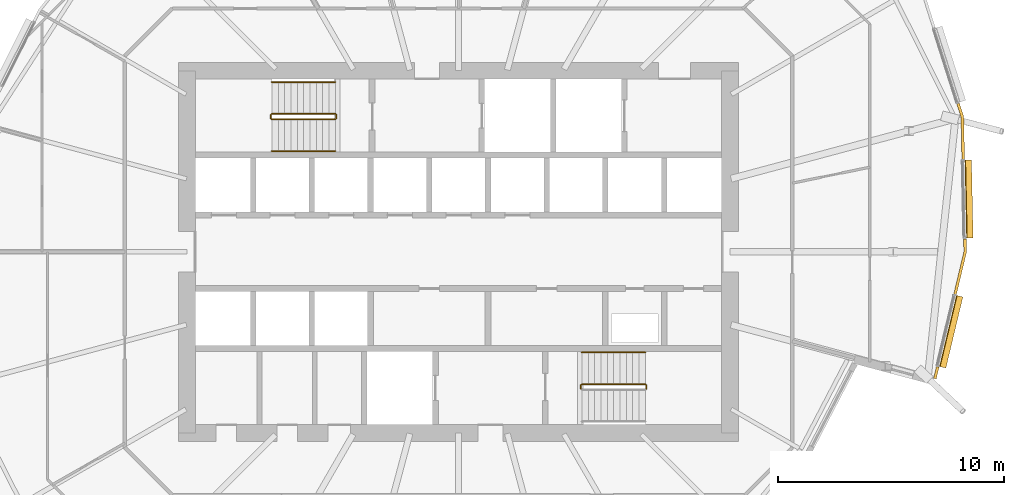
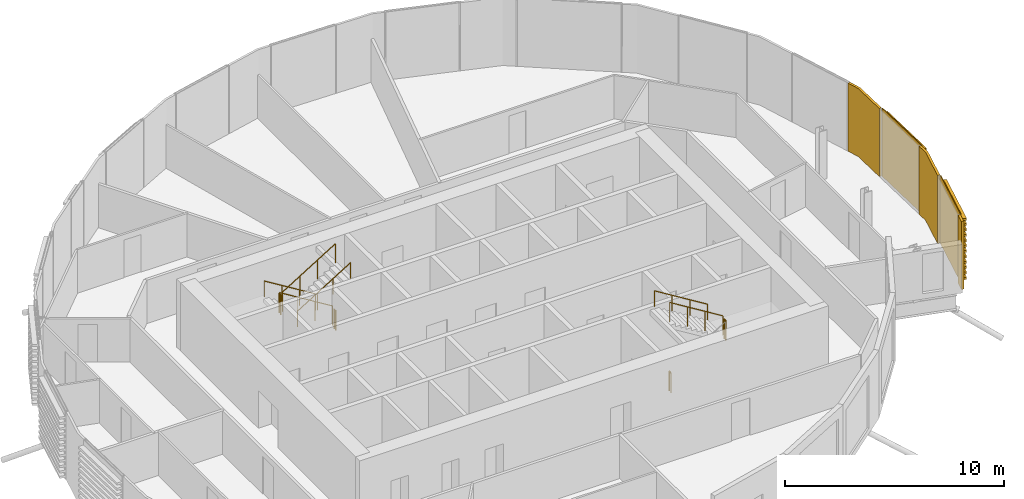
# One storey, part 41 of 43: 10 railings, 5 coverings.
"""IFC4 building model written with IfcOpenShell, lengths in metres."""

from ifc_helpers import new_model, si_unit, direction, frame, origin, origin_2d, place, context, subcontext, project, spatial, polyline, circle, outline, extrude, material, layer, layer_set, material_profile, profile_set, type_object, element, save


model = new_model("IFC4")

# Units and contexts
model_context = context("Model", 3, precision=1e-05, world=origin(), true_north=direction((0.0, 1.0)))
body_context = subcontext(model_context, "Body", "Model", "MODEL_VIEW")
ifc_project = project(units=[si_unit("LENGTHUNIT", "METRE"), si_unit("AREAUNIT", "SQUARE_METRE"), si_unit("VOLUMEUNIT", "CUBIC_METRE"), si_unit("PLANEANGLEUNIT", "RADIAN"), si_unit("MASSUNIT", "GRAM", prefix="KILO")], contexts=[model_context])

# Site, building, storey
site_placement = place(None, origin())
site = spatial("IfcSite", under=ifc_project, at=site_placement, CompositionType="ELEMENT")
building_placement = place(site_placement, origin())
building = spatial("IfcBuilding", under=site, at=building_placement, Name="Rimbun Link Towers", CompositionType="ELEMENT")
storey_placement = place(building_placement, frame((0.0, 0.0, 81.60009765625)))
storey = spatial("IfcBuildingStorey", under=building, at=storey_placement, Name="L19", CompositionType="ELEMENT", Elevation=81.60009765625)

# Coverings
ifc_material_1 = material(Name="Terracotta", Category="masonry")
ifc_layer = layer(ifc_material_1, 0.1201171875)
ifc_layer_set = layer_set([ifc_layer], Name="LINK PIER terracotta cladding 120")
covering_type_1 = type_object("IfcCoveringType", Name="LINK PIER terracotta cladding 120", PredefinedType="CLADDING", material=ifc_layer_set)
covering_1_placement = place(storey_placement, origin())
element("IfcCovering", 1, at=covering_1_placement, inside=storey, type_object=covering_type_1, Name="LINK PIER cladding", PredefinedType="CLADDING", context=body_context, shape_type="SweptSolid", body=[
    extrude(outline(polyline([(52.8662109375, -5.068115234375), (52.74072265625, -5.593505859375), (52.857421875, -5.621337890625), (52.98291015625, -5.09619140625), (52.8662109375, -5.068115234375)])), origin(), (0.0, 0.0, 1.0), 3.7998046875),
])
covering_2_placement = place(storey_placement, origin())
element("IfcCovering", 2, at=covering_2_placement, inside=storey, type_object=covering_type_1, Name="LINK PIER cladding", PredefinedType="CLADDING", context=body_context, shape_type="SweptSolid", body=[
    extrude(outline(polyline([(54.06640625, 0.56982421875), (54.078369140625, 0.0), (53.6318359375, -1.867431640625), (53.74853515625, -1.895263671875), (54.198486328125, -0.012939453125), (54.186279296875, 0.572509765625), (54.06640625, 0.56982421875)])), origin(), (0.0, 0.0, 1.0), 3.7998046875),
])
covering_3_placement = place(storey_placement, origin())
element("IfcCovering", 3, at=covering_3_placement, inside=storey, type_object=covering_type_1, Name="LINK PIER cladding", PredefinedType="CLADDING", context=body_context, shape_type="SweptSolid", body=[
    extrude(outline(polyline([(53.76513671875, 6.5400390625), (53.952880859375, 5.94921875), (53.992431640625, 4.079833984375), (54.1123046875, 4.082275390625), (54.072509765625, 5.96923828125), (53.87939453125, 6.576416015625), (53.76513671875, 6.5400390625)])), origin(), (0.0, 0.0, 1.0), 3.7998046875),
])

# Railings
ifc_material_2 = material(Name="Stainless steel grade 316", Category="steel")
railing_type_1 = type_object("IfcRailingType", Name="Stair guard", PredefinedType="GUARDRAIL", material=ifc_material_2)
railing_1_placement = place(storey_placement, frame((26.300048828125, 6.10009765625, 0.172607421875)))
element("IfcRailing", 4, at=railing_1_placement, inside=storey, type_object=railing_type_1, Name="L19 ST3 stair guard 1", PredefinedType="GUARDRAIL", context=body_context, shape_type="SweptSolid", body=[
    extrude(circle(Radius=0.02392578125, at=origin_2d()), frame((0.0, 0.0, 1.076171875), z_axis=(-0.851089632645, 0.0, 0.525020415988), x_axis=(0.0, -1.0, 0.0)), (0.0, 0.0, 1.0), 3.2900390625),
    extrude(circle(Radius=0.02099609375, at=origin_2d()), origin(), (0.0, 0.0, 1.0), 1.052001953125),
    extrude(circle(Radius=0.02099609375, at=origin_2d()), frame((-0.933349609375, 0.0, 0.57568359375)), (0.0, 0.0, 1.0), 1.052001953125),
    extrude(circle(Radius=0.02099609375, at=origin_2d()), frame((-1.86669921875, 0.0, 1.151611328125)), (0.0, 0.0, 1.0), 1.052001953125),
    extrude(circle(Radius=0.02099609375, at=origin_2d()), frame((-2.800048828125, 0.0, 1.727294921875)), (0.0, 0.0, 1.0), 1.052001953125),
])
railing_2_placement = place(storey_placement, frame((23.449951171875, 6.050048828125, 1.89990234375)))
element("IfcRailing", 5, at=railing_2_placement, inside=storey, type_object=railing_type_1, Name="L19 ST3 stair guard 2", PredefinedType="GUARDRAIL", context=body_context, shape_type="SweptSolid", body=[
    extrude(circle(Radius=0.02392578125, at=origin_2d()), frame((0.0, 0.0, 1.076171875), z_axis=(0.0, -1.0, 0.0), x_axis=(1.0, 0.0, 0.0)), (0.0, 0.0, 1.0), 0.150146484375),
    extrude(circle(Radius=0.02099609375, at=origin_2d()), origin(), (0.0, 0.0, 1.0), 1.052001953125),
    extrude(circle(Radius=0.02099609375, at=origin_2d()), frame((0.0, -0.150146484375, 0.0)), (0.0, 0.0, 1.0), 1.052001953125),
])
railing_3_placement = place(storey_placement, frame((23.5, 5.85009765625, 2.072509765625)))
element("IfcRailing", 6, at=railing_3_placement, inside=storey, type_object=railing_type_1, Name="L19 ST3 stair guard 3", PredefinedType="GUARDRAIL", context=body_context, shape_type="SweptSolid", body=[
    extrude(circle(Radius=0.02392578125, at=origin_2d()), frame((0.0, 0.0, 1.076171875), z_axis=(0.851089632645, 0.0, 0.525020415988), x_axis=(0.0, 1.0, 0.0)), (0.0, 0.0, 1.0), 3.2900390625),
    extrude(circle(Radius=0.02099609375, at=origin_2d()), origin(), (0.0, 0.0, 1.0), 1.052001953125),
    extrude(circle(Radius=0.02099609375, at=origin_2d()), frame((0.933349609375, 0.0, 0.57568359375)), (0.0, 0.0, 1.0), 1.052001953125),
    extrude(circle(Radius=0.02099609375, at=origin_2d()), frame((1.86669921875, 0.0, 1.151611328125)), (0.0, 0.0, 1.0), 1.052001953125),
    extrude(circle(Radius=0.02099609375, at=origin_2d()), frame((2.800048828125, 0.0, 1.727294921875)), (0.0, 0.0, 1.0), 1.052001953125),
])
railing_4_placement = place(storey_placement, frame((26.35009765625, 6.050048828125, 0.0)))
element("IfcRailing", 7, at=railing_4_placement, inside=storey, type_object=railing_type_1, Name="L19 ST3 stair guard 4", PredefinedType="GUARDRAIL", context=body_context, shape_type="SweptSolid", body=[
    extrude(circle(Radius=0.02392578125, at=origin_2d()), frame((0.0, 0.0, 1.076171875), z_axis=(0.0, -1.0, 0.0), x_axis=(1.0, 0.0, 0.0)), (0.0, 0.0, 1.0), 0.150146484375),
    extrude(circle(Radius=0.02099609375, at=origin_2d()), origin(), (0.0, 0.0, 1.0), 1.052001953125),
    extrude(circle(Radius=0.02099609375, at=origin_2d()), frame((0.0, -0.150146484375, 0.0)), (0.0, 0.0, 1.0), 1.052001953125),
])
railing_5_placement = place(storey_placement, frame((40.050048828125, -6.050048828125, 1.89990234375)))
element("IfcRailing", 8, at=railing_5_placement, inside=storey, type_object=railing_type_1, Name="L19 ST4 stair guard 2", PredefinedType="GUARDRAIL", context=body_context, shape_type="SweptSolid", body=[
    extrude(circle(Radius=0.02392578125, at=origin_2d()), frame((0.0, 0.0, 1.076171875), z_axis=(0.0, 1.0, 0.0), x_axis=(-1.0, 0.0, 0.0)), (0.0, 0.0, 1.0), 0.150146484375),
    extrude(circle(Radius=0.02099609375, at=origin_2d()), origin(), (0.0, 0.0, 1.0), 1.052001953125),
    extrude(circle(Radius=0.02099609375, at=origin_2d()), frame((0.0, 0.150146484375, 0.0)), (0.0, 0.0, 1.0), 1.052001953125),
])
railing_6_placement = place(storey_placement, frame((40.0, -5.85009765625, 2.072509765625)))
element("IfcRailing", 9, at=railing_6_placement, inside=storey, type_object=railing_type_1, Name="L19 ST4 stair guard 3", PredefinedType="GUARDRAIL", context=body_context, shape_type="SweptSolid", body=[
    extrude(circle(Radius=0.02392578125, at=origin_2d()), frame((0.0, 0.0, 1.076171875), z_axis=(-0.851089632645, 0.0, 0.525020415988), x_axis=(0.0, -1.0, 0.0)), (0.0, 0.0, 1.0), 3.2900390625),
    extrude(circle(Radius=0.02099609375, at=origin_2d()), origin(), (0.0, 0.0, 1.0), 1.052001953125),
    extrude(circle(Radius=0.02099609375, at=origin_2d()), frame((-0.933349609375, 0.0, 0.57568359375)), (0.0, 0.0, 1.0), 1.052001953125),
    extrude(circle(Radius=0.02099609375, at=origin_2d()), frame((-1.86669921875, 0.0, 1.151611328125)), (0.0, 0.0, 1.0), 1.052001953125),
    extrude(circle(Radius=0.02099609375, at=origin_2d()), frame((-2.800048828125, 0.0, 1.727294921875)), (0.0, 0.0, 1.0), 1.052001953125),
])
railing_7_placement = place(storey_placement, frame((37.14990234375, -6.050048828125, 0.0)))
element("IfcRailing", 10, at=railing_7_placement, inside=storey, type_object=railing_type_1, Name="L19 ST4 stair guard 4", PredefinedType="GUARDRAIL", context=body_context, shape_type="SweptSolid", body=[
    extrude(circle(Radius=0.02392578125, at=origin_2d()), frame((0.0, 0.0, 1.076171875), z_axis=(0.0, 1.0, 0.0), x_axis=(-1.0, 0.0, 0.0)), (0.0, 0.0, 1.0), 0.150146484375),
    extrude(circle(Radius=0.02099609375, at=origin_2d()), origin(), (0.0, 0.0, 1.0), 1.052001953125),
    extrude(circle(Radius=0.02099609375, at=origin_2d()), frame((0.0, 0.150146484375, 0.0)), (0.0, 0.0, 1.0), 1.052001953125),
])
ifc_material_3 = material(Name="Stainless steel grade 316", Category="steel")
railing_type_2 = type_object("IfcRailingType", Name="Stair handrail", PredefinedType="HANDRAIL", material=ifc_material_3)
railing_8_placement = place(storey_placement, frame((26.300048828125, 7.5, 0.172607421875)))
element("IfcRailing", 11, at=railing_8_placement, inside=storey, type_object=railing_type_2, Name="L19 ST3 stair handrail 1", PredefinedType="HANDRAIL", context=body_context, shape_type="SweptSolid", body=[
    extrude(circle(Radius=0.02392578125, at=origin_2d()), frame((0.0, 0.0, 0.8759765625), z_axis=(-0.851089632645, 0.0, 0.525020415988), x_axis=(0.0, -1.0, 0.0)), (0.0, 0.0, 1.0), 3.2900390625),
    extrude(circle(Radius=0.02099609375, at=origin_2d()), origin(), (0.0, 0.0, 1.0), 0.851806640625),
    extrude(circle(Radius=0.02099609375, at=origin_2d()), frame((-0.933349609375, 0.0, 0.57568359375)), (0.0, 0.0, 1.0), 0.851806640625),
    extrude(circle(Radius=0.02099609375, at=origin_2d()), frame((-1.86669921875, 0.0, 1.151611328125)), (0.0, 0.0, 1.0), 0.851806640625),
    extrude(circle(Radius=0.02099609375, at=origin_2d()), frame((-2.800048828125, 0.0, 1.727294921875)), (0.0, 0.0, 1.0), 0.851806640625),
])
railing_9_placement = place(storey_placement, frame((23.5, 4.449951171875, 2.072509765625)))
element("IfcRailing", 12, at=railing_9_placement, inside=storey, type_object=railing_type_2, Name="L19 ST3 stair handrail 2", PredefinedType="HANDRAIL", context=body_context, shape_type="SweptSolid", body=[
    extrude(circle(Radius=0.02392578125, at=origin_2d()), frame((0.0, 0.0, 0.8759765625), z_axis=(0.851089632645, 0.0, 0.525020415988), x_axis=(0.0, 1.0, 0.0)), (0.0, 0.0, 1.0), 3.2900390625),
    extrude(circle(Radius=0.02099609375, at=origin_2d()), origin(), (0.0, 0.0, 1.0), 0.851806640625),
    extrude(circle(Radius=0.02099609375, at=origin_2d()), frame((0.933349609375, 0.0, 0.57568359375)), (0.0, 0.0, 1.0), 0.851806640625),
    extrude(circle(Radius=0.02099609375, at=origin_2d()), frame((1.86669921875, 0.0, 1.151611328125)), (0.0, 0.0, 1.0), 0.851806640625),
    extrude(circle(Radius=0.02099609375, at=origin_2d()), frame((2.800048828125, 0.0, 1.727294921875)), (0.0, 0.0, 1.0), 0.851806640625),
])
railing_10_placement = place(storey_placement, frame((40.0, -4.449951171875, 2.072509765625)))
element("IfcRailing", 13, at=railing_10_placement, inside=storey, type_object=railing_type_2, Name="L19 ST4 stair handrail 2", PredefinedType="HANDRAIL", context=body_context, shape_type="SweptSolid", body=[
    extrude(circle(Radius=0.02392578125, at=origin_2d()), frame((0.0, 0.0, 0.8759765625), z_axis=(-0.851089632645, 0.0, 0.525020415988), x_axis=(0.0, -1.0, 0.0)), (0.0, 0.0, 1.0), 3.2900390625),
    extrude(circle(Radius=0.02099609375, at=origin_2d()), origin(), (0.0, 0.0, 1.0), 0.851806640625),
    extrude(circle(Radius=0.02099609375, at=origin_2d()), frame((-0.933349609375, 0.0, 0.57568359375)), (0.0, 0.0, 1.0), 0.851806640625),
    extrude(circle(Radius=0.02099609375, at=origin_2d()), frame((-1.86669921875, 0.0, 1.151611328125)), (0.0, 0.0, 1.0), 0.851806640625),
    extrude(circle(Radius=0.02099609375, at=origin_2d()), frame((-2.800048828125, 0.0, 1.727294921875)), (0.0, 0.0, 1.0), 0.851806640625),
])

# Coverings
ifc_material_4 = material(Name="Terracotta", Category="masonry")
ifc_material_profile = material_profile(ifc_material_4, outline(polyline([(0.123046875, 0.0), (0.1630859375, 0.0), (0.1630859375, 0.10009765625), (0.423095703125, 0.10009765625), (0.423095703125, 0.219970703125), (0.1630859375, 0.219970703125), (0.1630859375, 0.39990234375), (0.423095703125, 0.39990234375), (0.423095703125, 0.52001953125), (0.1630859375, 0.52001953125), (0.1630859375, 0.699951171875), (0.423095703125, 0.699951171875), (0.423095703125, 0.820068359375), (0.1630859375, 0.820068359375), (0.1630859375, 1.0), (0.423095703125, 1.0), (0.423095703125, 1.1201171875), (0.1630859375, 1.1201171875), (0.1630859375, 1.300048828125), (0.423095703125, 1.300048828125), (0.423095703125, 1.419921875), (0.1630859375, 1.419921875), (0.1630859375, 1.60009765625), (0.423095703125, 1.60009765625), (0.423095703125, 1.719970703125), (0.1630859375, 1.719970703125), (0.1630859375, 1.89990234375), (0.423095703125, 1.89990234375), (0.423095703125, 2.02001953125), (0.1630859375, 2.02001953125), (0.1630859375, 2.199951171875), (0.423095703125, 2.199951171875), (0.423095703125, 2.320068359375), (0.1630859375, 2.320068359375), (0.1630859375, 2.5), (0.423095703125, 2.5), (0.423095703125, 2.6201171875), (0.1630859375, 2.6201171875), (0.1630859375, 2.800048828125), (0.423095703125, 2.800048828125), (0.423095703125, 2.919921875), (0.1630859375, 2.919921875), (0.1630859375, 3.10009765625), (0.423095703125, 3.10009765625), (0.423095703125, 3.219970703125), (0.1630859375, 3.219970703125), (0.1630859375, 3.39990234375), (0.423095703125, 3.39990234375), (0.423095703125, 3.52001953125), (0.1630859375, 3.52001953125), (0.1630859375, 3.800048828125), (0.123046875, 3.800048828125), (0.123046875, 0.0)])), Name="BAGUETTE 120X300")
ifc_profile_set = profile_set([ifc_material_profile], Name="Terracotta")
covering_type_2 = type_object("IfcCoveringType", Name="TERRACOTTA BAGUETTE 120X300 H3800", PredefinedType="CLADDING", material=ifc_profile_set)
covering_4_placement = place(storey_placement, frame((53.624755859375, -1.896484375, 0.0), z_axis=(-0.232566998358, -0.972580377797, 0.0), x_axis=(0.972580377797, -0.232566998358, 0.0)))
element("IfcCovering", 14, at=covering_4_placement, inside=storey, type_object=covering_type_2, Name="TERRACOTTA BAGUETTE", PredefinedType="CLADDING", context=body_context, shape_type="SweptSolid", body=[
    extrude(outline(polyline([(0.123046875, 0.0), (0.1630859375, 0.0), (0.1630859375, 0.10009765625), (0.423095703125, 0.10009765625), (0.423095703125, 0.219970703125), (0.1630859375, 0.219970703125), (0.1630859375, 0.39990234375), (0.423095703125, 0.39990234375), (0.423095703125, 0.52001953125), (0.1630859375, 0.52001953125), (0.1630859375, 0.699951171875), (0.423095703125, 0.699951171875), (0.423095703125, 0.820068359375), (0.1630859375, 0.820068359375), (0.1630859375, 1.0), (0.423095703125, 1.0), (0.423095703125, 1.1201171875), (0.1630859375, 1.1201171875), (0.1630859375, 1.300048828125), (0.423095703125, 1.300048828125), (0.423095703125, 1.419921875), (0.1630859375, 1.419921875), (0.1630859375, 1.60009765625), (0.423095703125, 1.60009765625), (0.423095703125, 1.719970703125), (0.1630859375, 1.719970703125), (0.1630859375, 1.89990234375), (0.423095703125, 1.89990234375), (0.423095703125, 2.02001953125), (0.1630859375, 2.02001953125), (0.1630859375, 2.199951171875), (0.423095703125, 2.199951171875), (0.423095703125, 2.320068359375), (0.1630859375, 2.320068359375), (0.1630859375, 2.5), (0.423095703125, 2.5), (0.423095703125, 2.6201171875), (0.1630859375, 2.6201171875), (0.1630859375, 2.800048828125), (0.423095703125, 2.800048828125), (0.423095703125, 2.919921875), (0.1630859375, 2.919921875), (0.1630859375, 3.10009765625), (0.423095703125, 3.10009765625), (0.423095703125, 3.219970703125), (0.1630859375, 3.219970703125), (0.1630859375, 3.39990234375), (0.423095703125, 3.39990234375), (0.423095703125, 3.52001953125), (0.1630859375, 3.52001953125), (0.1630859375, 3.800048828125), (0.123046875, 3.800048828125), (0.123046875, 0.0)])), origin(), (0.0, 0.0, 1.0), 3.231201171875),
])
covering_5_placement = place(storey_placement, frame((53.992919921875, 4.0498046875, 0.0), z_axis=(0.021083699583, -0.9997777141, 0.0), x_axis=(0.9997777141, 0.021083699583, 0.0)))
element("IfcCovering", 15, at=covering_5_placement, inside=storey, type_object=covering_type_2, Name="TERRACOTTA BAGUETTE", PredefinedType="CLADDING", context=body_context, shape_type="SweptSolid", body=[
    extrude(outline(polyline([(0.123046875, 0.0), (0.1630859375, 0.0), (0.1630859375, 0.10009765625), (0.423095703125, 0.10009765625), (0.423095703125, 0.219970703125), (0.1630859375, 0.219970703125), (0.1630859375, 0.39990234375), (0.423095703125, 0.39990234375), (0.423095703125, 0.52001953125), (0.1630859375, 0.52001953125), (0.1630859375, 0.699951171875), (0.423095703125, 0.699951171875), (0.423095703125, 0.820068359375), (0.1630859375, 0.820068359375), (0.1630859375, 1.0), (0.423095703125, 1.0), (0.423095703125, 1.1201171875), (0.1630859375, 1.1201171875), (0.1630859375, 1.300048828125), (0.423095703125, 1.300048828125), (0.423095703125, 1.419921875), (0.1630859375, 1.419921875), (0.1630859375, 1.60009765625), (0.423095703125, 1.60009765625), (0.423095703125, 1.719970703125), (0.1630859375, 1.719970703125), (0.1630859375, 1.89990234375), (0.423095703125, 1.89990234375), (0.423095703125, 2.02001953125), (0.1630859375, 2.02001953125), (0.1630859375, 2.199951171875), (0.423095703125, 2.199951171875), (0.423095703125, 2.320068359375), (0.1630859375, 2.320068359375), (0.1630859375, 2.5), (0.423095703125, 2.5), (0.423095703125, 2.6201171875), (0.1630859375, 2.6201171875), (0.1630859375, 2.800048828125), (0.423095703125, 2.800048828125), (0.423095703125, 2.919921875), (0.1630859375, 2.919921875), (0.1630859375, 3.10009765625), (0.423095703125, 3.10009765625), (0.423095703125, 3.219970703125), (0.1630859375, 3.219970703125), (0.1630859375, 3.39990234375), (0.423095703125, 3.39990234375), (0.423095703125, 3.52001953125), (0.1630859375, 3.52001953125), (0.1630859375, 3.800048828125), (0.123046875, 3.800048828125), (0.123046875, 0.0)])), origin(), (0.0, 0.0, 1.0), 3.45068359375),
])

save(model, "model.ifc")
